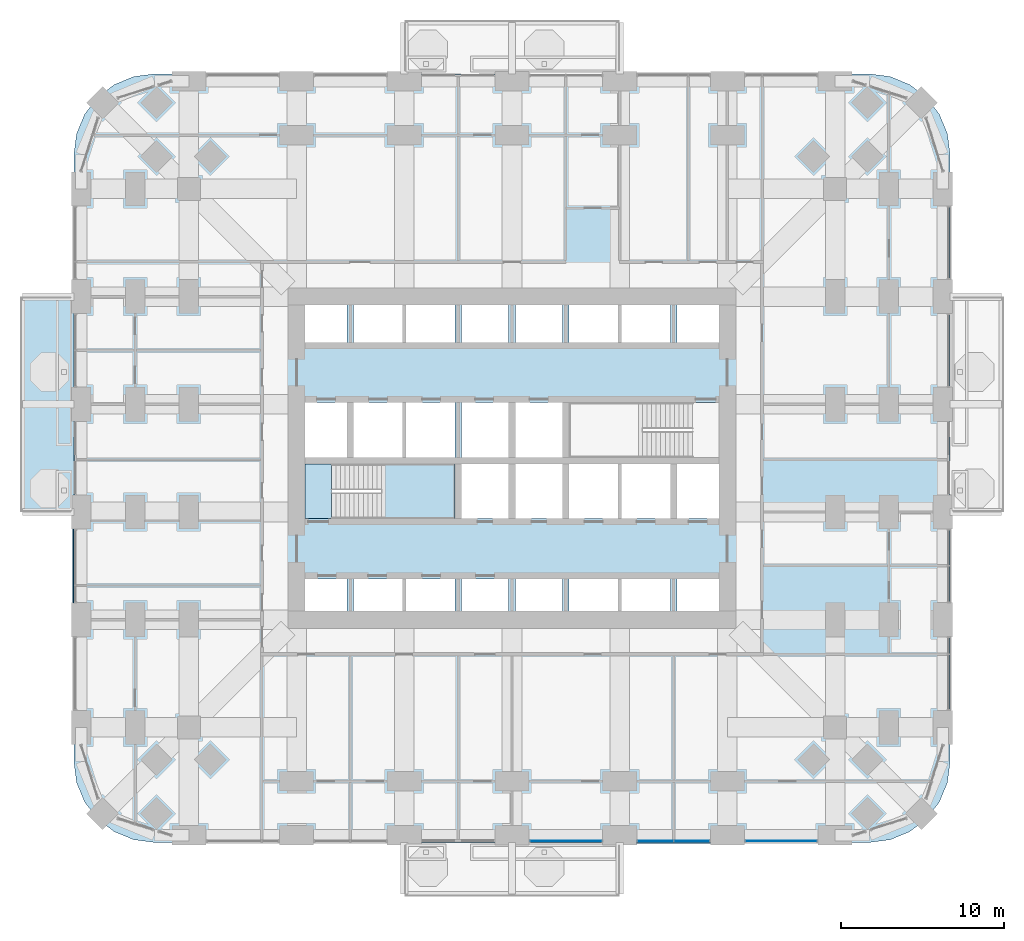
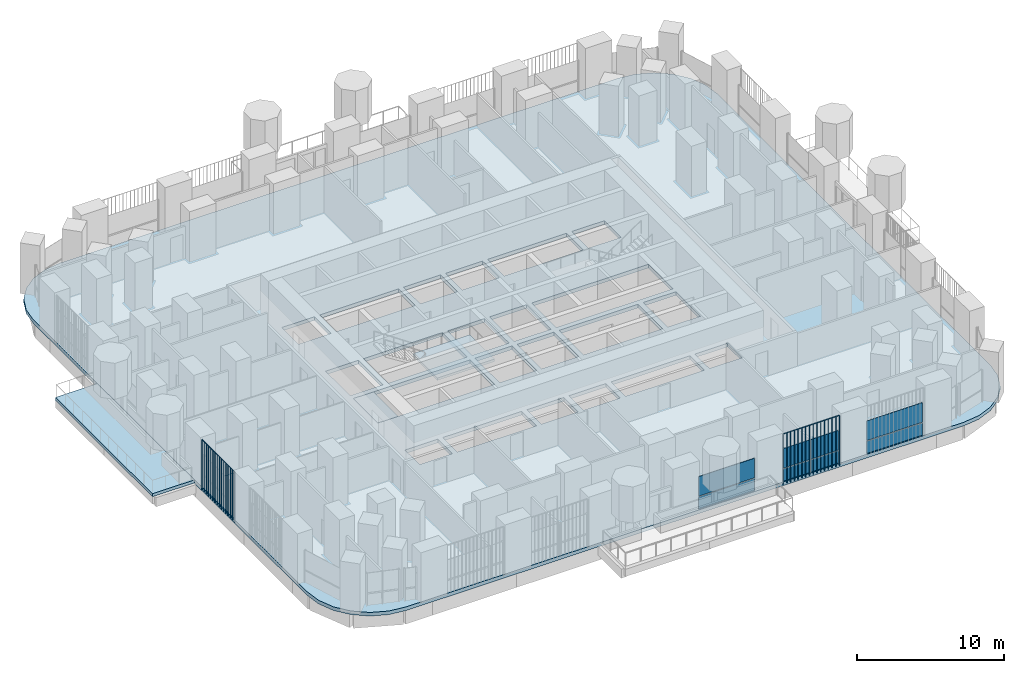
# One storey, part 12 of 26: 10 plates, 4 slabs, 4 elements without a shape of their own.
"""IFC4 building model written with IfcOpenShell, lengths in metres."""

from ifc_helpers import new_model, si_unit, direction, frame, origin, origin_2d, place, context, subcontext, project, spatial, polyline, rectangle, outline, extrude, material, layer, layer_set, type_object, element, aggregate, save


model = new_model("IFC4")

# Units and contexts
model_context = context("Model", 3, precision=1e-05, world=origin(), true_north=direction((0.0, 1.0)))
body_context = subcontext(model_context, "Body", "Model", "MODEL_VIEW")
ifc_project = project(units=[si_unit("LENGTHUNIT", "METRE"), si_unit("AREAUNIT", "SQUARE_METRE"), si_unit("VOLUMEUNIT", "CUBIC_METRE"), si_unit("PLANEANGLEUNIT", "RADIAN"), si_unit("MASSUNIT", "GRAM", prefix="KILO")], contexts=[model_context])

# Site, building, storey
site_placement = place(None, origin())
site = spatial("IfcSite", under=ifc_project, at=site_placement, CompositionType="ELEMENT")
building_placement = place(site_placement, origin())
building = spatial("IfcBuilding", under=site, at=building_placement, Name="Cobogo Forest Laboratory Tower", CompositionType="ELEMENT")
storey_placement = place(building_placement, frame((0.0, 0.0, 33.89990234375)))
storey = spatial("IfcBuildingStorey", under=building, at=storey_placement, Name="L07", CompositionType="ELEMENT", Elevation=33.89990234375)

# Slabs
ifc_material_1 = material(Name="Concrete HA-40 (C40/50)", Category="concrete")
ifc_layer_1 = layer(ifc_material_1, 0.25)
ifc_layer_set_1 = layer_set([ifc_layer_1], Name="Balcony slab 250")
slab_type_1 = type_object("IfcSlabType", Name="Balcony slab 250", PredefinedType="FLOOR", material=ifc_layer_set_1)
slab_1_placement = place(storey_placement, frame((0.0, 0.0, -0.25)))
element("IfcSlab", 1, at=slab_1_placement, inside=storey, type_object=slab_type_1, Name="Balcony BAL-W1 L07", PredefinedType="FLOOR", context=body_context, shape_type="SweptSolid", body=[
    extrude(outline(polyline([(-3.75, 19.800048828125), (-0.449951171875, 19.800048828125), (-0.449951171875, 33.0), (-3.75, 33.0), (-3.75, 19.800048828125)])), origin(), (0.0, 0.0, 1.0), 0.25),
])
ifc_layer_2 = layer(ifc_material_1, 0.300048828125)
ifc_layer_set_2 = layer_set([ifc_layer_2], Name="Floor slab 300")
slab_type_2 = type_object("IfcSlabType", Name="Floor slab 300", PredefinedType="FLOOR", material=ifc_layer_set_2)
slab_2_placement = place(storey_placement, frame((0.0, 0.0, -0.2998046875)))
element("IfcSlab", 2, at=slab_2_placement, inside=storey, type_object=slab_type_2, Name="L07 floor slab", PredefinedType="FLOOR", context=body_context, shape_type="SweptSolid", body=[
    extrude(outline(polyline([(48.300048828125, -0.449951171875), (49.5810546875, -0.28125), (50.77490234375, 0.213134765625), (51.80029296875, 0.999755859375), (52.5869140625, 2.02490234375), (53.081298828125, 3.21875), (53.25, 4.5), (53.25, 41.699951171875), (53.081298828125, 42.981201171875), (52.5869140625, 44.175048828125), (51.80029296875, 45.2001953125), (50.77490234375, 45.98681640625), (49.5810546875, 46.4814453125), (48.300048828125, 46.64990234375), (4.5, 46.64990234375), (3.21875, 46.4814453125), (2.02490234375, 45.98681640625), (0.999755859375, 45.2001953125), (0.213134765625, 44.175048828125), (-0.28125, 42.981201171875), (-0.449951171875, 41.699951171875), (-0.449951171875, 4.5), (-0.28125, 3.21875), (0.213134765625, 2.02490234375), (0.999755859375, 0.999755859375), (2.02490234375, 0.213134765625), (3.21875, -0.28125), (4.5, -0.449951171875), (48.300048828125, -0.449951171875)]), holes=[polyline([(16.300048828125, 13.72509765625), (13.72509765625, 13.72509765625), (13.72509765625, 15.699951171875), (16.300048828125, 15.699951171875), (16.300048828125, 13.72509765625)]), polyline([(22.89990234375, 15.699951171875), (22.89990234375, 13.72509765625), (16.699951171875, 13.72509765625), (16.699951171875, 15.699951171875), (22.89990234375, 15.699951171875)]), polyline([(23.300048828125, 13.72509765625), (23.300048828125, 15.699951171875), (26.199951171875, 15.699951171875), (26.199951171875, 13.72509765625), (23.300048828125, 13.72509765625)]), polyline([(29.5, 13.72509765625), (26.60009765625, 13.72509765625), (26.60009765625, 15.699951171875), (29.5, 15.699951171875), (29.5, 13.72509765625)]), polyline([(36.10009765625, 15.699951171875), (36.10009765625, 13.72509765625), (29.89990234375, 13.72509765625), (29.89990234375, 15.699951171875), (36.10009765625, 15.699951171875)]), polyline([(36.5, 13.72509765625), (36.5, 15.699951171875), (39.074951171875, 15.699951171875), (39.074951171875, 13.72509765625), (36.5, 13.72509765625)]), polyline([(13.72509765625, 19.39990234375), (13.72509765625, 22.75), (22.89990234375, 22.75), (22.89990234375, 19.39990234375), (13.72509765625, 19.39990234375)]), polyline([(23.300048828125, 19.39990234375), (23.300048828125, 22.75), (26.199951171875, 22.75), (26.199951171875, 19.39990234375), (23.300048828125, 19.39990234375)]), polyline([(26.60009765625, 19.39990234375), (26.60009765625, 22.75), (29.5, 22.75), (29.5, 19.39990234375), (26.60009765625, 19.39990234375)]), polyline([(36.10009765625, 22.75), (36.10009765625, 19.39990234375), (29.89990234375, 19.39990234375), (29.89990234375, 22.75), (36.10009765625, 22.75)]), polyline([(39.074951171875, 19.39990234375), (36.5, 19.39990234375), (36.5, 22.75), (39.074951171875, 22.75), (39.074951171875, 19.39990234375)]), polyline([(13.72509765625, 23.14990234375), (13.72509765625, 26.5), (16.300048828125, 26.5), (16.300048828125, 23.14990234375), (13.72509765625, 23.14990234375)]), polyline([(22.89990234375, 26.5), (22.89990234375, 23.14990234375), (16.699951171875, 23.14990234375), (16.699951171875, 26.5), (22.89990234375, 26.5)]), polyline([(23.300048828125, 23.14990234375), (23.300048828125, 26.5), (26.199951171875, 26.5), (26.199951171875, 23.14990234375), (23.300048828125, 23.14990234375)]), polyline([(26.60009765625, 23.14990234375), (26.60009765625, 26.5), (29.5, 26.5), (29.5, 23.14990234375), (26.60009765625, 23.14990234375)]), polyline([(29.89990234375, 23.14990234375), (29.89990234375, 26.5), (39.074951171875, 26.5), (39.074951171875, 23.14990234375), (29.89990234375, 23.14990234375)]), polyline([(13.72509765625, 30.199951171875), (13.72509765625, 32.47509765625), (16.300048828125, 32.47509765625), (16.300048828125, 30.199951171875), (13.72509765625, 30.199951171875)]), polyline([(22.89990234375, 32.47509765625), (22.89990234375, 30.199951171875), (16.699951171875, 30.199951171875), (16.699951171875, 32.47509765625), (22.89990234375, 32.47509765625)]), polyline([(23.300048828125, 30.199951171875), (23.300048828125, 32.47509765625), (26.199951171875, 32.47509765625), (26.199951171875, 30.199951171875), (23.300048828125, 30.199951171875)]), polyline([(26.60009765625, 30.199951171875), (26.60009765625, 32.47509765625), (29.5, 32.47509765625), (29.5, 30.199951171875), (26.60009765625, 30.199951171875)]), polyline([(36.10009765625, 32.47509765625), (36.10009765625, 30.199951171875), (29.89990234375, 30.199951171875), (29.89990234375, 32.47509765625), (36.10009765625, 32.47509765625)]), polyline([(36.5, 30.199951171875), (36.5, 32.47509765625), (39.074951171875, 32.47509765625), (39.074951171875, 30.199951171875), (36.5, 30.199951171875)])]), origin(), (0.0, 0.0, 1.0), 0.2998046875),
])

# Curtain wall, plates
ifc_material_2 = material(Name="Aluminium curtain wall", Category="aluminium")
curtain_wall_type = type_object("IfcCurtainWallType", Name="CW-1 unitised curtain wall, clear glazing, laboratory floors zones A and B", PredefinedType="USERDEFINED", material=ifc_material_2)
curtain_wall_1_placement = place(storey_placement, origin())
curtain_wall_1 = element("IfcCurtainWall", 3, at=curtain_wall_1_placement, inside=storey, type_object=curtain_wall_type, Name="Curtain wall 04 L07", ObjectType="UNITISED CURTAIN WALL", PredefinedType="USERDEFINED")
ifc_material_3 = material(Name="Clear insulated glass", Category="glass")
ifc_layer_3 = layer(ifc_material_3, 0.028076171875)
ifc_layer_set_3 = layer_set([ifc_layer_3], Name="GP-1 clear insulated glass unit 28")
plate_type_1 = type_object("IfcPlateType", Name="GP-1 clear insulated glass unit 28", PredefinedType="CURTAIN_PANEL", material=ifc_layer_set_3)
plate_1_placement = place(storey_placement, frame((29.699951171875, -0.35009765625, 0.0), z_axis=(0.0, 0.0, 1.0), x_axis=(1.0, 0.0, 0.0)))
plate_1 = element("IfcPlate", 4, at=plate_1_placement, type_object=plate_type_1, Name="CW-1 panel 1.1", PredefinedType="CURTAIN_PANEL", context=body_context, shape_type="SweptSolid", body=[
    extrude(rectangle(XDim=4.3798828125, YDim=0.028076171875, at=origin_2d()), origin(), (0.0, 0.0, 1.0), 1.02001953125),
])
plate_2_placement = place(storey_placement, frame((29.699951171875, -0.35009765625, 1.080078125), z_axis=(0.0, 0.0, 1.0), x_axis=(1.0, 0.0, 0.0)))
plate_2 = element("IfcPlate", 5, at=plate_2_placement, type_object=plate_type_1, Name="CW-1 panel 1.2", PredefinedType="CURTAIN_PANEL", context=body_context, shape_type="SweptSolid", body=[
    extrude(rectangle(XDim=4.3798828125, YDim=0.028076171875, at=origin_2d()), origin(), (0.0, 0.0, 1.0), 1.6201171875),
])
aggregate(curtain_wall_1, [plate_1, plate_2])

curtain_wall_2_placement = place(storey_placement, origin())
curtain_wall_2 = element("IfcCurtainWall", 6, at=curtain_wall_2_placement, inside=storey, type_object=curtain_wall_type, Name="Curtain wall 05 L07", ObjectType="UNITISED CURTAIN WALL", PredefinedType="USERDEFINED")
plate_3_placement = place(storey_placement, frame((35.18994140625, -0.35009765625, 0.0), z_axis=(0.0, 0.0, 1.0), x_axis=(1.0, 0.0, 0.0)))
plate_3 = element("IfcPlate", 7, at=plate_3_placement, type_object=plate_type_1, Name="CW-1 panel 1.1", PredefinedType="CURTAIN_PANEL", context=body_context, shape_type="SweptSolid", body=[
    extrude(rectangle(XDim=2.159912109375, YDim=0.028076171875, at=origin_2d()), origin(), (0.0, 0.0, 1.0), 1.02001953125),
])
plate_4_placement = place(storey_placement, frame((35.18994140625, -0.35009765625, 1.080078125), z_axis=(0.0, 0.0, 1.0), x_axis=(1.0, 0.0, 0.0)))
plate_4 = element("IfcPlate", 8, at=plate_4_placement, type_object=plate_type_1, Name="CW-1 panel 1.2", PredefinedType="CURTAIN_PANEL", context=body_context, shape_type="SweptSolid", body=[
    extrude(rectangle(XDim=2.159912109375, YDim=0.028076171875, at=origin_2d()), origin(), (0.0, 0.0, 1.0), 1.6201171875),
])
plate_5_placement = place(storey_placement, frame((37.409912109375, -0.35009765625, 0.0), z_axis=(0.0, 0.0, 1.0), x_axis=(1.0, 0.0, 0.0)))
plate_5 = element("IfcPlate", 9, at=plate_5_placement, type_object=plate_type_1, Name="CW-1 panel 2.1", PredefinedType="CURTAIN_PANEL", context=body_context, shape_type="SweptSolid", body=[
    extrude(rectangle(XDim=2.159912109375, YDim=0.028076171875, at=origin_2d()), origin(), (0.0, 0.0, 1.0), 1.02001953125),
])
plate_6_placement = place(storey_placement, frame((37.409912109375, -0.35009765625, 1.080078125), z_axis=(0.0, 0.0, 1.0), x_axis=(1.0, 0.0, 0.0)))
plate_6 = element("IfcPlate", 10, at=plate_6_placement, type_object=plate_type_1, Name="CW-1 panel 2.2", PredefinedType="CURTAIN_PANEL", context=body_context, shape_type="SweptSolid", body=[
    extrude(rectangle(XDim=2.159912109375, YDim=0.028076171875, at=origin_2d()), origin(), (0.0, 0.0, 1.0), 1.6201171875),
])
aggregate(curtain_wall_2, [plate_3, plate_4, plate_5, plate_6])

curtain_wall_3_placement = place(storey_placement, origin())
curtain_wall_3 = element("IfcCurtainWall", 11, at=curtain_wall_3_placement, inside=storey, type_object=curtain_wall_type, Name="Curtain wall 06 L07", ObjectType="UNITISED CURTAIN WALL", PredefinedType="USERDEFINED")
plate_7_placement = place(storey_placement, frame((42.89990234375, -0.35009765625, 0.0), z_axis=(0.0, 0.0, 1.0), x_axis=(1.0, 0.0, 0.0)))
plate_7 = element("IfcPlate", 12, at=plate_7_placement, type_object=plate_type_1, Name="CW-1 panel 1.1", PredefinedType="CURTAIN_PANEL", context=body_context, shape_type="SweptSolid", body=[
    extrude(rectangle(XDim=4.3798828125, YDim=0.028076171875, at=origin_2d()), origin(), (0.0, 0.0, 1.0), 1.02001953125),
])
plate_8_placement = place(storey_placement, frame((42.89990234375, -0.35009765625, 1.080078125), z_axis=(0.0, 0.0, 1.0), x_axis=(1.0, 0.0, 0.0)))
plate_8 = element("IfcPlate", 13, at=plate_8_placement, type_object=plate_type_1, Name="CW-1 panel 1.2", PredefinedType="CURTAIN_PANEL", context=body_context, shape_type="SweptSolid", body=[
    extrude(rectangle(XDim=4.3798828125, YDim=0.028076171875, at=origin_2d()), origin(), (0.0, 0.0, 1.0), 1.6201171875),
])
aggregate(curtain_wall_3, [plate_7, plate_8])

# Stair, slabs
ifc_material_4 = material(Name="Precast concrete HA-40 (C40/50)", Category="concrete")
stair_type = type_object("IfcStairType", Name="ST24 exit stair 24 risers", PredefinedType="HALF_TURN_STAIR", material=ifc_material_4)
stair_placement = place(storey_placement, origin())
stair = element("IfcStair", 14, at=stair_placement, inside=storey, type_object=stair_type, Name="Stair 1 L07 to L08", PredefinedType="HALF_TURN_STAIR")
ifc_layer_4 = layer(ifc_material_1, 0.199951171875)
ifc_layer_set_4 = layer_set([ifc_layer_4], Name="SL stair landing 200")
slab_type_3 = type_object("IfcSlabType", Name="SL stair landing 200", PredefinedType="LANDING", material=ifc_layer_set_4)
slab_3_placement = place(storey_placement, frame((0.0, 0.0, -0.199951171875)))
slab_3 = element("IfcSlab", 15, at=slab_3_placement, type_object=slab_type_3, Name="ST1 landing 1", PredefinedType="LANDING", context=body_context, shape_type="SweptSolid", body=[
    extrude(outline(polyline([(13.72509765625, 19.39990234375), (15.326904296875, 19.39990234375), (15.326904296875, 22.75), (13.72509765625, 22.75), (13.72509765625, 19.39990234375)])), origin(), (0.0, 0.0, 1.0), 0.199951171875),
])
slab_4_placement = place(storey_placement, frame((0.0, 0.0, 1.900146484375)))
slab_4 = element("IfcSlab", 16, at=slab_4_placement, type_object=slab_type_3, Name="ST1 landing 2", PredefinedType="LANDING", context=body_context, shape_type="SweptSolid", body=[
    extrude(outline(polyline([(18.403076171875, 19.39990234375), (22.89990234375, 19.39990234375), (22.89990234375, 22.75), (18.403076171875, 22.75), (18.403076171875, 19.39990234375)])), origin(), (0.0, 0.0, 1.0), 0.199951171875),
])
aggregate(stair, [slab_3, slab_4])

# Plates
ifc_material_5 = material(Name="Terracotta", Category="masonry")
plate_type_2 = type_object("IfcPlateType", Name="TB1 terracotta baguette screen", PredefinedType="USERDEFINED", material=ifc_material_5)
plate_9_placement = place(storey_placement, frame((34.081298828125, -0.477783203125, -0.14990234375)))
element("IfcPlate", 17, at=plate_9_placement, inside=storey, type_object=plate_type_2, Name="Baguette screen S5 L07", ObjectType="BAGUETTE SCREEN", PredefinedType="USERDEFINED", context=body_context, shape_type="SweptSolid", body=[
    extrude(outline(polyline([(0.02880859375, 0.011962890625), (0.011962890625, 0.02880859375), (-0.011962890625, 0.02880859375), (-0.02880859375, 0.011962890625), (-0.02880859375, -0.011962890625), (-0.011962890625, -0.02880859375), (0.011962890625, -0.02880859375), (0.02880859375, -0.011962890625), (0.02880859375, 0.011962890625)])), frame((0.0, 0.0, 4.168701171875), z_axis=(1.0, 0.0, 0.0), x_axis=(0.0, 1.0, 0.0)), (0.0, 0.0, 1.0), 4.4375),
    extrude(outline(polyline([(0.02880859375, 0.011962890625), (0.011962890625, 0.02880859375), (-0.011962890625, 0.02880859375), (-0.02880859375, 0.011962890625), (-0.02880859375, -0.011962890625), (-0.011962890625, -0.02880859375), (0.011962890625, -0.02880859375), (0.02880859375, -0.011962890625), (0.02880859375, 0.011962890625)])), origin(), (0.0, 0.0, 1.0), 4.137451171875),
    extrude(outline(polyline([(0.02880859375, 0.011962890625), (0.011962890625, 0.02880859375), (-0.011962890625, 0.02880859375), (-0.02880859375, 0.011962890625), (-0.02880859375, -0.011962890625), (-0.011962890625, -0.02880859375), (0.011962890625, -0.02880859375), (0.02880859375, -0.011962890625), (0.02880859375, 0.011962890625)])), frame((0.2958984375, 0.0, 0.0)), (0.0, 0.0, 1.0), 4.137451171875),
    extrude(outline(polyline([(0.02880859375, 0.011962890625), (0.011962890625, 0.02880859375), (-0.011962890625, 0.02880859375), (-0.02880859375, 0.011962890625), (-0.02880859375, -0.011962890625), (-0.011962890625, -0.02880859375), (0.011962890625, -0.02880859375), (0.02880859375, -0.011962890625), (0.02880859375, 0.011962890625)])), frame((0.591552734375, 0.0, 0.0)), (0.0, 0.0, 1.0), 4.137451171875),
    extrude(outline(polyline([(0.02880859375, 0.011962890625), (0.011962890625, 0.02880859375), (-0.011962890625, 0.02880859375), (-0.02880859375, 0.011962890625), (-0.02880859375, -0.011962890625), (-0.011962890625, -0.02880859375), (0.011962890625, -0.02880859375), (0.02880859375, -0.011962890625), (0.02880859375, 0.011962890625)])), frame((0.887451171875, 0.0, 0.0)), (0.0, 0.0, 1.0), 4.137451171875),
    extrude(outline(polyline([(0.02880859375, 0.011962890625), (0.011962890625, 0.02880859375), (-0.011962890625, 0.02880859375), (-0.02880859375, 0.011962890625), (-0.02880859375, -0.011962890625), (-0.011962890625, -0.02880859375), (0.011962890625, -0.02880859375), (0.02880859375, -0.011962890625), (0.02880859375, 0.011962890625)])), frame((1.183349609375, 0.0, 0.0)), (0.0, 0.0, 1.0), 4.137451171875),
    extrude(outline(polyline([(0.02880859375, 0.011962890625), (0.011962890625, 0.02880859375), (-0.011962890625, 0.02880859375), (-0.02880859375, 0.011962890625), (-0.02880859375, -0.011962890625), (-0.011962890625, -0.02880859375), (0.011962890625, -0.02880859375), (0.02880859375, -0.011962890625), (0.02880859375, 0.011962890625)])), frame((1.479248046875, 0.0, 0.0)), (0.0, 0.0, 1.0), 4.137451171875),
    extrude(outline(polyline([(0.02880859375, 0.011962890625), (0.011962890625, 0.02880859375), (-0.011962890625, 0.02880859375), (-0.02880859375, 0.011962890625), (-0.02880859375, -0.011962890625), (-0.011962890625, -0.02880859375), (0.011962890625, -0.02880859375), (0.02880859375, -0.011962890625), (0.02880859375, 0.011962890625)])), frame((1.77490234375, 0.0, 0.0)), (0.0, 0.0, 1.0), 4.137451171875),
    extrude(outline(polyline([(0.02880859375, 0.011962890625), (0.011962890625, 0.02880859375), (-0.011962890625, 0.02880859375), (-0.02880859375, 0.011962890625), (-0.02880859375, -0.011962890625), (-0.011962890625, -0.02880859375), (0.011962890625, -0.02880859375), (0.02880859375, -0.011962890625), (0.02880859375, 0.011962890625)])), frame((2.07080078125, 0.0, 0.0)), (0.0, 0.0, 1.0), 4.137451171875),
    extrude(outline(polyline([(0.02880859375, 0.011962890625), (0.011962890625, 0.02880859375), (-0.011962890625, 0.02880859375), (-0.02880859375, 0.011962890625), (-0.02880859375, -0.011962890625), (-0.011962890625, -0.02880859375), (0.011962890625, -0.02880859375), (0.02880859375, -0.011962890625), (0.02880859375, 0.011962890625)])), frame((2.36669921875, 0.0, 0.0)), (0.0, 0.0, 1.0), 4.137451171875),
    extrude(outline(polyline([(0.02880859375, 0.011962890625), (0.011962890625, 0.02880859375), (-0.011962890625, 0.02880859375), (-0.02880859375, 0.011962890625), (-0.02880859375, -0.011962890625), (-0.011962890625, -0.02880859375), (0.011962890625, -0.02880859375), (0.02880859375, -0.011962890625), (0.02880859375, 0.011962890625)])), frame((2.66259765625, 0.0, 0.0)), (0.0, 0.0, 1.0), 4.137451171875),
    extrude(outline(polyline([(0.02880859375, 0.011962890625), (0.011962890625, 0.02880859375), (-0.011962890625, 0.02880859375), (-0.02880859375, 0.011962890625), (-0.02880859375, -0.011962890625), (-0.011962890625, -0.02880859375), (0.011962890625, -0.02880859375), (0.02880859375, -0.011962890625), (0.02880859375, 0.011962890625)])), frame((2.958251953125, 0.0, 0.0)), (0.0, 0.0, 1.0), 4.137451171875),
    extrude(outline(polyline([(0.02880859375, 0.011962890625), (0.011962890625, 0.02880859375), (-0.011962890625, 0.02880859375), (-0.02880859375, 0.011962890625), (-0.02880859375, -0.011962890625), (-0.011962890625, -0.02880859375), (0.011962890625, -0.02880859375), (0.02880859375, -0.011962890625), (0.02880859375, 0.011962890625)])), frame((3.254150390625, 0.0, 0.0)), (0.0, 0.0, 1.0), 4.137451171875),
    extrude(outline(polyline([(0.02880859375, 0.011962890625), (0.011962890625, 0.02880859375), (-0.011962890625, 0.02880859375), (-0.02880859375, 0.011962890625), (-0.02880859375, -0.011962890625), (-0.011962890625, -0.02880859375), (0.011962890625, -0.02880859375), (0.02880859375, -0.011962890625), (0.02880859375, 0.011962890625)])), frame((3.550048828125, 0.0, 0.0)), (0.0, 0.0, 1.0), 4.137451171875),
    extrude(outline(polyline([(0.02880859375, 0.011962890625), (0.011962890625, 0.02880859375), (-0.011962890625, 0.02880859375), (-0.02880859375, 0.011962890625), (-0.02880859375, -0.011962890625), (-0.011962890625, -0.02880859375), (0.011962890625, -0.02880859375), (0.02880859375, -0.011962890625), (0.02880859375, 0.011962890625)])), frame((3.845947265625, 0.0, 0.0)), (0.0, 0.0, 1.0), 4.137451171875),
    extrude(outline(polyline([(0.02880859375, 0.011962890625), (0.011962890625, 0.02880859375), (-0.011962890625, 0.02880859375), (-0.02880859375, 0.011962890625), (-0.02880859375, -0.011962890625), (-0.011962890625, -0.02880859375), (0.011962890625, -0.02880859375), (0.02880859375, -0.011962890625), (0.02880859375, 0.011962890625)])), frame((4.1416015625, 0.0, 0.0)), (0.0, 0.0, 1.0), 4.137451171875),
    extrude(outline(polyline([(0.02880859375, 0.011962890625), (0.011962890625, 0.02880859375), (-0.011962890625, 0.02880859375), (-0.02880859375, 0.011962890625), (-0.02880859375, -0.011962890625), (-0.011962890625, -0.02880859375), (0.011962890625, -0.02880859375), (0.02880859375, -0.011962890625), (0.02880859375, 0.011962890625)])), frame((4.4375, 0.0, 0.0)), (0.0, 0.0, 1.0), 4.137451171875),
])
plate_10_placement = place(storey_placement, frame((-0.477783203125, 14.28125, -0.14990234375)))
element("IfcPlate", 18, at=plate_10_placement, inside=storey, type_object=plate_type_2, Name="Baguette screen W2 L07", ObjectType="BAGUETTE SCREEN", PredefinedType="USERDEFINED", context=body_context, shape_type="SweptSolid", body=[
    extrude(outline(polyline([(0.02880859375, 0.011962890625), (0.011962890625, 0.02880859375), (-0.011962890625, 0.02880859375), (-0.02880859375, 0.011962890625), (-0.02880859375, -0.011962890625), (-0.011962890625, -0.02880859375), (0.011962890625, -0.02880859375), (0.02880859375, -0.011962890625), (0.02880859375, 0.011962890625)])), frame((0.0, 0.0, 4.168701171875), z_axis=(0.0, 1.0, 0.0), x_axis=(-1.0, 0.0, 0.0)), (0.0, 0.0, 1.0), 4.4375),
    extrude(outline(polyline([(0.02880859375, 0.011962890625), (0.011962890625, 0.02880859375), (-0.011962890625, 0.02880859375), (-0.02880859375, 0.011962890625), (-0.02880859375, -0.011962890625), (-0.011962890625, -0.02880859375), (0.011962890625, -0.02880859375), (0.02880859375, -0.011962890625), (0.02880859375, 0.011962890625)])), origin(), (0.0, 0.0, 1.0), 4.137451171875),
    extrude(outline(polyline([(0.02880859375, 0.011962890625), (0.011962890625, 0.02880859375), (-0.011962890625, 0.02880859375), (-0.02880859375, 0.011962890625), (-0.02880859375, -0.011962890625), (-0.011962890625, -0.02880859375), (0.011962890625, -0.02880859375), (0.02880859375, -0.011962890625), (0.02880859375, 0.011962890625)])), frame((0.0, 0.2958984375, 0.0)), (0.0, 0.0, 1.0), 4.137451171875),
    extrude(outline(polyline([(0.02880859375, 0.011962890625), (0.011962890625, 0.02880859375), (-0.011962890625, 0.02880859375), (-0.02880859375, 0.011962890625), (-0.02880859375, -0.011962890625), (-0.011962890625, -0.02880859375), (0.011962890625, -0.02880859375), (0.02880859375, -0.011962890625), (0.02880859375, 0.011962890625)])), frame((0.0, 0.591552734375, 0.0)), (0.0, 0.0, 1.0), 4.137451171875),
    extrude(outline(polyline([(0.02880859375, 0.011962890625), (0.011962890625, 0.02880859375), (-0.011962890625, 0.02880859375), (-0.02880859375, 0.011962890625), (-0.02880859375, -0.011962890625), (-0.011962890625, -0.02880859375), (0.011962890625, -0.02880859375), (0.02880859375, -0.011962890625), (0.02880859375, 0.011962890625)])), frame((0.0, 0.887451171875, 0.0)), (0.0, 0.0, 1.0), 4.137451171875),
    extrude(outline(polyline([(0.02880859375, 0.011962890625), (0.011962890625, 0.02880859375), (-0.011962890625, 0.02880859375), (-0.02880859375, 0.011962890625), (-0.02880859375, -0.011962890625), (-0.011962890625, -0.02880859375), (0.011962890625, -0.02880859375), (0.02880859375, -0.011962890625), (0.02880859375, 0.011962890625)])), frame((0.0, 1.183349609375, 0.0)), (0.0, 0.0, 1.0), 4.137451171875),
    extrude(outline(polyline([(0.02880859375, 0.011962890625), (0.011962890625, 0.02880859375), (-0.011962890625, 0.02880859375), (-0.02880859375, 0.011962890625), (-0.02880859375, -0.011962890625), (-0.011962890625, -0.02880859375), (0.011962890625, -0.02880859375), (0.02880859375, -0.011962890625), (0.02880859375, 0.011962890625)])), frame((0.0, 1.479248046875, 0.0)), (0.0, 0.0, 1.0), 4.137451171875),
    extrude(outline(polyline([(0.02880859375, 0.011962890625), (0.011962890625, 0.02880859375), (-0.011962890625, 0.02880859375), (-0.02880859375, 0.011962890625), (-0.02880859375, -0.011962890625), (-0.011962890625, -0.02880859375), (0.011962890625, -0.02880859375), (0.02880859375, -0.011962890625), (0.02880859375, 0.011962890625)])), frame((0.0, 1.77490234375, 0.0)), (0.0, 0.0, 1.0), 4.137451171875),
    extrude(outline(polyline([(0.02880859375, 0.011962890625), (0.011962890625, 0.02880859375), (-0.011962890625, 0.02880859375), (-0.02880859375, 0.011962890625), (-0.02880859375, -0.011962890625), (-0.011962890625, -0.02880859375), (0.011962890625, -0.02880859375), (0.02880859375, -0.011962890625), (0.02880859375, 0.011962890625)])), frame((0.0, 2.07080078125, 0.0)), (0.0, 0.0, 1.0), 4.137451171875),
    extrude(outline(polyline([(0.02880859375, 0.011962890625), (0.011962890625, 0.02880859375), (-0.011962890625, 0.02880859375), (-0.02880859375, 0.011962890625), (-0.02880859375, -0.011962890625), (-0.011962890625, -0.02880859375), (0.011962890625, -0.02880859375), (0.02880859375, -0.011962890625), (0.02880859375, 0.011962890625)])), frame((0.0, 2.36669921875, 0.0)), (0.0, 0.0, 1.0), 4.137451171875),
    extrude(outline(polyline([(0.02880859375, 0.011962890625), (0.011962890625, 0.02880859375), (-0.011962890625, 0.02880859375), (-0.02880859375, 0.011962890625), (-0.02880859375, -0.011962890625), (-0.011962890625, -0.02880859375), (0.011962890625, -0.02880859375), (0.02880859375, -0.011962890625), (0.02880859375, 0.011962890625)])), frame((0.0, 2.66259765625, 0.0)), (0.0, 0.0, 1.0), 4.137451171875),
    extrude(outline(polyline([(0.02880859375, 0.011962890625), (0.011962890625, 0.02880859375), (-0.011962890625, 0.02880859375), (-0.02880859375, 0.011962890625), (-0.02880859375, -0.011962890625), (-0.011962890625, -0.02880859375), (0.011962890625, -0.02880859375), (0.02880859375, -0.011962890625), (0.02880859375, 0.011962890625)])), frame((0.0, 2.958251953125, 0.0)), (0.0, 0.0, 1.0), 4.137451171875),
    extrude(outline(polyline([(0.02880859375, 0.011962890625), (0.011962890625, 0.02880859375), (-0.011962890625, 0.02880859375), (-0.02880859375, 0.011962890625), (-0.02880859375, -0.011962890625), (-0.011962890625, -0.02880859375), (0.011962890625, -0.02880859375), (0.02880859375, -0.011962890625), (0.02880859375, 0.011962890625)])), frame((0.0, 3.254150390625, 0.0)), (0.0, 0.0, 1.0), 4.137451171875),
    extrude(outline(polyline([(0.02880859375, 0.011962890625), (0.011962890625, 0.02880859375), (-0.011962890625, 0.02880859375), (-0.02880859375, 0.011962890625), (-0.02880859375, -0.011962890625), (-0.011962890625, -0.02880859375), (0.011962890625, -0.02880859375), (0.02880859375, -0.011962890625), (0.02880859375, 0.011962890625)])), frame((0.0, 3.550048828125, 0.0)), (0.0, 0.0, 1.0), 4.137451171875),
    extrude(outline(polyline([(0.02880859375, 0.011962890625), (0.011962890625, 0.02880859375), (-0.011962890625, 0.02880859375), (-0.02880859375, 0.011962890625), (-0.02880859375, -0.011962890625), (-0.011962890625, -0.02880859375), (0.011962890625, -0.02880859375), (0.02880859375, -0.011962890625), (0.02880859375, 0.011962890625)])), frame((0.0, 3.845947265625, 0.0)), (0.0, 0.0, 1.0), 4.137451171875),
    extrude(outline(polyline([(0.02880859375, 0.011962890625), (0.011962890625, 0.02880859375), (-0.011962890625, 0.02880859375), (-0.02880859375, 0.011962890625), (-0.02880859375, -0.011962890625), (-0.011962890625, -0.02880859375), (0.011962890625, -0.02880859375), (0.02880859375, -0.011962890625), (0.02880859375, 0.011962890625)])), frame((0.0, 4.1416015625, 0.0)), (0.0, 0.0, 1.0), 4.137451171875),
    extrude(outline(polyline([(0.02880859375, 0.011962890625), (0.011962890625, 0.02880859375), (-0.011962890625, 0.02880859375), (-0.02880859375, 0.011962890625), (-0.02880859375, -0.011962890625), (-0.011962890625, -0.02880859375), (0.011962890625, -0.02880859375), (0.02880859375, -0.011962890625), (0.02880859375, 0.011962890625)])), frame((0.0, 4.4375, 0.0)), (0.0, 0.0, 1.0), 4.137451171875),
])

save(model, "model.ifc")
